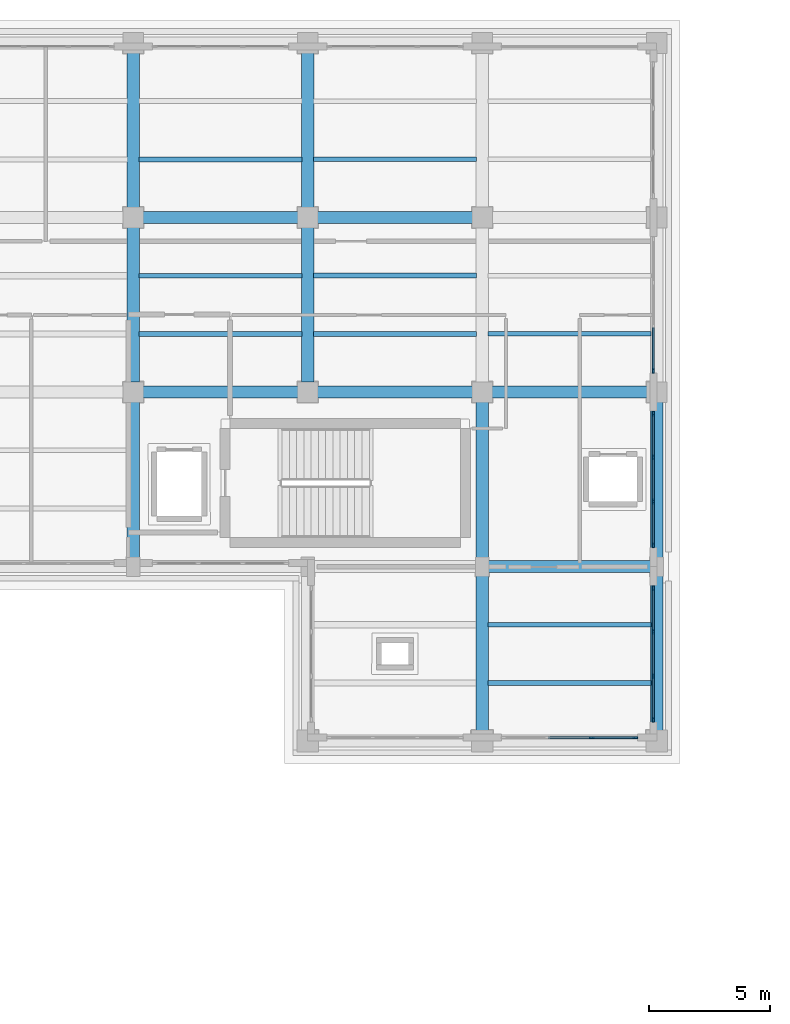
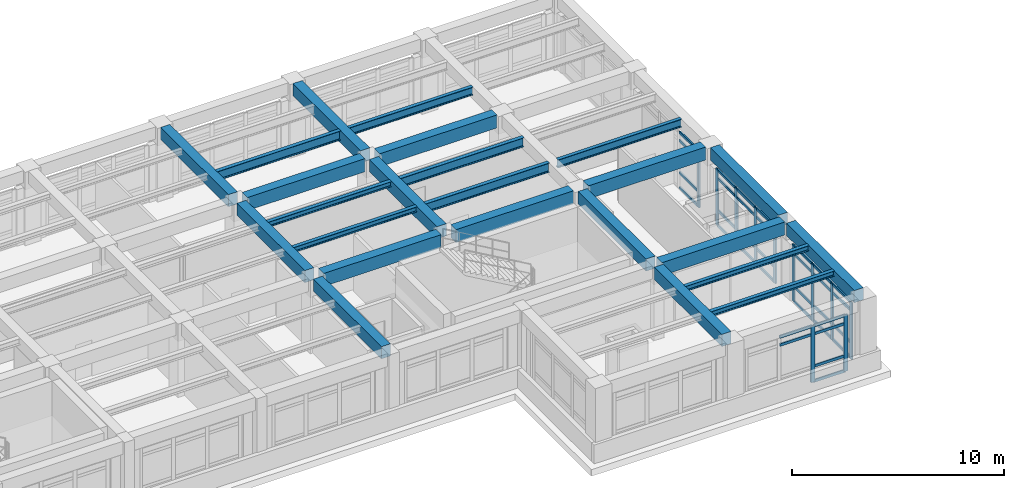
# One storey, part 32 of 69: 45 members, 24 beams, 4 elements without a shape of their own.
"""IFC4 building model written with IfcOpenShell, lengths in metres."""

import ifcopenshell
import ifcopenshell.guid

model = None  # the IFC model being written
_history = None  # IfcOwnerHistory: only IFC2X3 demands one
_inside = {}  # id of a spatial element -> (the spatial element, [elements in it])
_under = {}  # id of a project, library or spatial element -> (it, [spatial elements below it])
_declared = {}  # id of a project -> (the project, [libraries it declares])
_typed = {}  # id of a type object -> (the type object, [elements of that type])
_made_of = {}  # id of a material, layer set ... -> (it, [elements and type objects made of it])


def new_model(schema):
    """Start an empty IFC model of exactly this schema.

    Asked for "IFC4X3", IfcOpenShell would pick the latest addendum, in which some entities
    have other attributes; the version numbers below select the first issue.
    IFC2X3 requires an IfcOwnerHistory on every rooted entity: one is made here for all.
    """
    global model, _history
    if schema == "IFC4X3":
        model = ifcopenshell.file(schema_version=(4, 3, 0, 0))
    else:
        model = ifcopenshell.file(schema=schema)
    _inside.clear()
    _under.clear()
    _declared.clear()
    _typed.clear()
    _made_of.clear()
    _history = None
    if model.schema == "IFC2X3":
        org = make("IfcOrganization", Name="unknown")
        user = make(
            "IfcPersonAndOrganization",
            ThePerson=make("IfcPerson", FamilyName="unknown"),
            TheOrganization=org,
        )
        app = make(
            "IfcApplication",
            ApplicationDeveloper=org,
            Version="unknown",
            ApplicationFullName="unknown",
            ApplicationIdentifier="unknown",
        )
        _history = make(
            "IfcOwnerHistory",
            OwningUser=user,
            OwningApplication=app,
            ChangeAction="ADDED",
            CreationDate=0,
        )
    return model


def make(cls, **values):
    """One entity of the class cls with the attributes given. An attribute that is None is left unset."""
    return model.create_entity(
        cls, **{name: value for name, value in values.items() if value is not None}
    )


def rooted(cls, **values):
    """An entity with a GlobalId (a new one), such as an element, a storey or a relation."""
    return make(cls, GlobalId=ifcopenshell.guid.new(), OwnerHistory=_history, **values)


def si_unit(unit_type, name, prefix=None):
    """IfcSIUnit, for example si_unit("LENGTHUNIT", "METRE", prefix="MILLI")."""
    return make("IfcSIUnit", UnitType=unit_type, Prefix=prefix, Name=name)


def assignment(units):
    """IfcUnitAssignment: the units of a project."""
    return None if units is None else make("IfcUnitAssignment", Units=units)


def point(xyz):
    """IfcCartesianPoint."""
    return None if xyz is None else make("IfcCartesianPoint", Coordinates=xyz)


def direction(xyz):
    """IfcDirection."""
    return None if xyz is None else make("IfcDirection", DirectionRatios=xyz)


def frame(location, z_axis=None, x_axis=None):
    """IfcAxis2Placement3D, a coordinate frame: its origin and axes. An axis left out is left unset."""
    return make(
        "IfcAxis2Placement3D",
        Location=point(location),
        Axis=direction(z_axis),
        RefDirection=direction(x_axis),
    )


def frame_2d(location, x_axis=None):
    """IfcAxis2Placement2D, a coordinate frame in the plane: its origin and x axis."""
    return make(
        "IfcAxis2Placement2D", Location=point(location), RefDirection=direction(x_axis)
    )


def origin():
    """The frame at (0, 0, 0) with its axes left unset."""
    return frame((0.0, 0.0, 0.0))


def origin_2d():
    """The frame at (0, 0) in the plane with its x axis left unset."""
    return frame_2d((0.0, 0.0))


def place(relative_to, where):
    """IfcLocalPlacement: puts the frame where relative to a parent placement (None: the world)."""
    return make(
        "IfcLocalPlacement", PlacementRelTo=relative_to, RelativePlacement=where
    )


def context(
    kind, dimensions, precision=None, world=None, true_north=None, identifier=None
):
    """IfcGeometricRepresentationContext, for example the 3D "Model" context."""
    return make(
        "IfcGeometricRepresentationContext",
        ContextIdentifier=identifier,
        ContextType=kind,
        CoordinateSpaceDimension=dimensions,
        Precision=precision,
        WorldCoordinateSystem=world,
        TrueNorth=true_north,
    )


def subcontext(parent, identifier, kind, view, scale=None):
    """IfcGeometricRepresentationSubContext, for example "Body" below "Model"."""
    return make(
        "IfcGeometricRepresentationSubContext",
        ContextIdentifier=identifier,
        ContextType=kind,
        ParentContext=parent,
        TargetScale=scale,
        TargetView=view,
    )


def project(units=None, contexts=None):
    """IfcProject with its units and contexts."""
    return rooted(
        "IfcProject",
        Name="project",
        RepresentationContexts=contexts,
        UnitsInContext=assignment(units),
    )


def spatial(cls, under=None, at=None, **own):
    """A site, building, storey or space (cls), placed at a placement, below another one or the project."""
    s = rooted(cls, ObjectPlacement=at, **own)
    if under is not None:
        _under.setdefault(under.id(), (under, []))[1].append(s)
    return s


def profile(cls, at=None, kind="AREA", **sizes):
    """A parametric profile (cls). Its sizes go by their IFC names, for example OverallWidth=200.0."""
    return make(cls, ProfileType=kind, Position=at, **sizes)


def rectangle(**sizes):
    """IfcRectangleProfileDef."""
    return profile("IfcRectangleProfileDef", **sizes)


def i_section(**sizes):
    """IfcIShapeProfileDef."""
    return profile("IfcIShapeProfileDef", **sizes)


def extrude(swept, where, along, depth):
    """IfcExtrudedAreaSolid: the profile swept, set in the frame where, extruded along a direction by depth."""
    return make(
        "IfcExtrudedAreaSolid",
        SweptArea=swept,
        Position=where,
        ExtrudedDirection=direction(along),
        Depth=depth,
    )


def shape(context_of_items, identifier, shape_type, items):
    """IfcShapeRepresentation: the items that make up one representation, for example the "Body"."""
    return make(
        "IfcShapeRepresentation",
        ContextOfItems=context_of_items,
        RepresentationIdentifier=identifier,
        RepresentationType=shape_type,
        Items=items,
    )


def material(Name=None, Category=None):
    """IfcMaterial."""
    return make("IfcMaterial", Name=Name, Category=Category)


def layer(
    of_material, thickness, ventilated=None, Name=None, Category=None, Priority=None
):
    """IfcMaterialLayer: one layer of a wall or slab, of a material (None: an air gap)."""
    return make(
        "IfcMaterialLayer",
        Material=of_material,
        LayerThickness=thickness,
        IsVentilated=ventilated,
        Name=Name,
        Category=Category,
        Priority=Priority,
    )


def layer_set(layers, Name=None):
    """IfcMaterialLayerSet."""
    return make("IfcMaterialLayerSet", MaterialLayers=layers, LayerSetName=Name)


def material_profile(
    of_material, cross_section, Name=None, Category=None, Priority=None
):
    """IfcMaterialProfile: a cross section and its material."""
    return make(
        "IfcMaterialProfile",
        Name=Name,
        Material=of_material,
        Profile=cross_section,
        Priority=Priority,
        Category=Category,
    )


def profile_set(profiles, Name=None, composite=None):
    """IfcMaterialProfileSet."""
    return make(
        "IfcMaterialProfileSet",
        Name=Name,
        MaterialProfiles=profiles,
        CompositeProfile=composite,
    )


def made_of(thing, what):
    """Note that an element or type object is made of a material, layer set ...; save() writes the relation."""
    if what is not None:
        _made_of.setdefault(what.id(), (what, []))[1].append(thing)
    return thing


def type_object(cls, material=None, **own):
    """A type object (cls), such as IfcWallType, which elements share."""
    return made_of(rooted(cls, **own), material)


def element(
    cls,
    number,
    at=None,
    inside=None,
    cuts=None,
    type_object=None,
    material=None,
    context=None,
    identifier="Body",
    shape_type=None,
    held_by="IfcProductDefinitionShape",
    body=None,
    shapes=None,
    **own,
):
    """One element of the class cls, such as IfcWall. Its Tag is "e" and its number.

    at: its placement. inside: the storey or other place that contains it. cuts: it is an
    opening in that element (IfcRelVoidsElement). A single representation is given by context,
    identifier, shape_type and body (its items); several are given by shapes. held_by: the class
    of the entity that holds the representations. save() writes the other relations.
    """
    e = rooted(cls, Tag="e%d" % number, ObjectPlacement=at, **own)
    if body is not None:
        shapes = [shape(context, identifier, shape_type, body)]
    if shapes is not None:
        e.Representation = make(held_by, Representations=shapes)
    if inside is not None:
        _inside.setdefault(inside.id(), (inside, []))[1].append(e)
    if cuts is not None:
        rooted(
            "IfcRelVoidsElement", RelatingBuildingElement=cuts, RelatedOpeningElement=e
        )
    if type_object is not None:
        _typed.setdefault(type_object.id(), (type_object, []))[1].append(e)
    return made_of(e, material)


def aggregate(whole, parts):
    """IfcRelAggregates: a whole, such as a stair, and the parts it consists of."""
    return rooted("IfcRelAggregates", RelatingObject=whole, RelatedObjects=parts)


def save(model, path):
    """Write the relations noted so far, then the file.

    IfcRelAggregates (storeys below a building ...), IfcRelContainedInSpatialStructure (elements
    in a storey), IfcRelDefinesByType, IfcRelAssociatesMaterial and IfcRelDeclares: one each for
    every whole, place, type object, material and project.
    """
    for whole, parts in _under.values():
        aggregate(whole, parts)
    for where, things in _inside.values():
        rooted(
            "IfcRelContainedInSpatialStructure",
            RelatedElements=things,
            RelatingStructure=where,
        )
    for kind, things in _typed.values():
        rooted("IfcRelDefinesByType", RelatedObjects=things, RelatingType=kind)
    for what, things in _made_of.values():
        rooted("IfcRelAssociatesMaterial", RelatedObjects=things, RelatingMaterial=what)
    for by, libraries in _declared.values():
        rooted("IfcRelDeclares", RelatingContext=by, RelatedDefinitions=libraries)
    model.write(path)


model = new_model("IFC4")

# Units and contexts
model_context = context("Model", 3, precision=1e-05, world=origin(), true_north=direction((0.0, 1.0)))
body_context = subcontext(model_context, "Body", "Model", "MODEL_VIEW")
ifc_project = project(units=[si_unit("LENGTHUNIT", "METRE"), si_unit("AREAUNIT", "SQUARE_METRE"), si_unit("VOLUMEUNIT", "CUBIC_METRE"), si_unit("PLANEANGLEUNIT", "RADIAN"), si_unit("MASSUNIT", "GRAM", prefix="KILO")], contexts=[model_context])

# Site, building, storey
site_placement = place(None, origin())
site = spatial("IfcSite", under=ifc_project, at=site_placement, CompositionType="ELEMENT")
building_placement = place(site_placement, origin())
building = spatial("IfcBuilding", under=site, at=building_placement, Name="Solenvale Faculty of Natural Sciences", CompositionType="ELEMENT")
storey_placement = place(building_placement, frame((0.0, 0.0, 4.5)))
storey = spatial("IfcBuildingStorey", under=building, at=storey_placement, Name="L01", CompositionType="ELEMENT", Elevation=4.5)

# Beams
ifc_material_1 = material(Name="Concrete 40 MPa", Category="concrete")
ifc_material_profile_1 = material_profile(ifc_material_1, rectangle(XDim=0.5, YDim=0.699951171875, at=origin_2d()), Name="RC-BM-500x700")
ifc_profile_set_1 = profile_set([ifc_material_profile_1], Name="Concrete 40 MPa")
beam_type_1 = type_object("IfcBeamType", Name="BM-RC-500x700", PredefinedType="BEAM", material=ifc_profile_set_1)
beam_1_placement = place(storey_placement, frame((129.60009765625, 93.97998046875, 3.8701171875), z_axis=(0.0, 1.0, 0.0), x_axis=(-1.0, 0.0, 0.0)))
element("IfcBeam", 1, at=beam_1_placement, inside=storey, type_object=beam_type_1, Name="L01 Y-Girder X129.6 (93.6..100.8)", PredefinedType="BEAM", context=body_context, shape_type="SweptSolid", body=[
    extrude(rectangle(XDim=0.5, YDim=0.699951171875, at=origin_2d()), origin(), (0.0, 0.0, 1.0), 6.4150390625),
])
for number, where, z_axis, x_axis, name in (
    (2, (129.60009765625, 101.205078125, 3.8701171875), (0.0, 1.0, 0.0), (-1.0, 0.0, 0.0), "L01 Y-Girder X129.6 (100.8..108.0)"),
    (3, (129.60009765625, 108.405029296875, 3.8701171875), (0.0, 1.0, 0.0), (-1.0, 0.0, 0.0), "L01 Y-Girder X129.6 (108.0..115.2)"),
    (4, (136.800048828125, 101.205078125, 3.8701171875), (0.0, 1.0, 0.0), (-1.0, 0.0, 0.0), "L01 Y-Girder X136.8 (100.8..108.0)"),
    (5, (136.800048828125, 108.405029296875, 3.8701171875), (0.0, 1.0, 0.0), (-1.0, 0.0, 0.0), "L01 Y-Girder X136.8 (108.0..115.2)"),
    (6, (144.0, 86.830078125, 3.8701171875), (0.0, 1.0, 0.0), (-1.0, 0.0, 0.0), "L01 Y-Girder X144.0 (86.4..93.6)"),
):
    element("IfcBeam", number, at=place(storey_placement, frame(where, z_axis=z_axis, x_axis=x_axis)), inside=storey, type_object=beam_type_1, Name=name, PredefinedType="BEAM", context=body_context, shape_type="SweptSolid", body=[
        extrude(rectangle(XDim=0.5, YDim=0.699951171875, at=origin_2d()), origin(), (0.0, 0.0, 1.0), 6.389892578125),
    ])
beam_2_placement = place(storey_placement, frame((144.0, 93.97998046875, 3.8701171875), z_axis=(0.0, 1.0, 0.0), x_axis=(-1.0, 0.0, 0.0)))
element("IfcBeam", 7, at=beam_2_placement, inside=storey, type_object=beam_type_1, Name="L01 Y-Girder X144.0 (93.6..100.8)", PredefinedType="BEAM", context=body_context, shape_type="SweptSolid", body=[
    extrude(rectangle(XDim=0.5, YDim=0.699951171875, at=origin_2d()), origin(), (0.0, 0.0, 1.0), 6.4150390625),
])
beam_3_placement = place(storey_placement, frame((151.199951171875, 86.830078125, 3.8701171875), z_axis=(0.0, 1.0, 0.0), x_axis=(-1.0, 0.0, 0.0)))
element("IfcBeam", 8, at=beam_3_placement, inside=storey, type_object=beam_type_1, Name="L01 Y-Girder X151.2 (86.4..93.6)", PredefinedType="BEAM", context=body_context, shape_type="SweptSolid", body=[
    extrude(rectangle(XDim=0.5, YDim=0.699951171875, at=origin_2d()), origin(), (0.0, 0.0, 1.0), 6.389892578125),
])
beam_4_placement = place(storey_placement, frame((151.199951171875, 93.97998046875, 3.8701171875), z_axis=(0.0, 1.0, 0.0), x_axis=(-1.0, 0.0, 0.0)))
element("IfcBeam", 9, at=beam_4_placement, inside=storey, type_object=beam_type_1, Name="L01 Y-Girder X151.2 (93.6..100.8)", PredefinedType="BEAM", context=body_context, shape_type="SweptSolid", body=[
    extrude(rectangle(XDim=0.5, YDim=0.699951171875, at=origin_2d()), origin(), (0.0, 0.0, 1.0), 6.4150390625),
])
ifc_material_profile_2 = material_profile(ifc_material_1, rectangle(XDim=0.5, YDim=0.75, at=origin_2d()), Name="RC-BM-500x750")
ifc_profile_set_2 = profile_set([ifc_material_profile_2], Name="Concrete 40 MPa")
beam_type_2 = type_object("IfcBeamType", Name="BM-RC-500x750", PredefinedType="BEAM", material=ifc_profile_set_2)
beam_5_placement = place(storey_placement, frame((144.2548828125, 93.60009765625, 3.844970703125), z_axis=(1.0, 0.0, 0.0), x_axis=(0.0, 1.0, 0.0)))
element("IfcBeam", 10, at=beam_5_placement, inside=storey, type_object=beam_type_2, Name="L01 X-Girder Y93.6 (144.0..151.2)", PredefinedType="BEAM", context=body_context, shape_type="SweptSolid", body=[
    extrude(rectangle(XDim=0.5, YDim=0.75, at=origin_2d()), origin(), (0.0, 0.0, 1.0), 6.690185546875),
])
beam_6_placement = place(storey_placement, frame((130.0048828125, 100.800048828125, 3.844970703125), z_axis=(1.0, 0.0, 0.0), x_axis=(0.0, 1.0, 0.0)))
element("IfcBeam", 11, at=beam_6_placement, inside=storey, type_object=beam_type_2, Name="L01 X-Girder Y100.8 (129.6..136.8)", PredefinedType="BEAM", context=body_context, shape_type="SweptSolid", body=[
    extrude(rectangle(XDim=0.5, YDim=0.75, at=origin_2d()), origin(), (0.0, 0.0, 1.0), 6.39013671875),
])
for number, where, z_axis, x_axis, name in (
    (12, (137.205078125, 100.800048828125, 3.844970703125), (1.0, 0.0, 0.0), (0.0, 1.0, 0.0), "L01 X-Girder Y100.8 (136.8..144.0)"),
    (13, (144.405029296875, 100.800048828125, 3.844970703125), (1.0, 0.0, 0.0), (0.0, 1.0, 0.0), "L01 X-Girder Y100.8 (144.0..151.2)"),
):
    element("IfcBeam", number, at=place(storey_placement, frame(where, z_axis=z_axis, x_axis=x_axis)), inside=storey, type_object=beam_type_2, Name=name, PredefinedType="BEAM", context=body_context, shape_type="SweptSolid", body=[
        extrude(rectangle(XDim=0.5, YDim=0.75, at=origin_2d()), origin(), (0.0, 0.0, 1.0), 6.389892578125),
    ])
beam_7_placement = place(storey_placement, frame((130.0048828125, 108.0, 3.844970703125), z_axis=(1.0, 0.0, 0.0), x_axis=(0.0, 1.0, 0.0)))
element("IfcBeam", 14, at=beam_7_placement, inside=storey, type_object=beam_type_2, Name="L01 X-Girder Y108.0 (129.6..136.8)", PredefinedType="BEAM", context=body_context, shape_type="SweptSolid", body=[
    extrude(rectangle(XDim=0.5, YDim=0.75, at=origin_2d()), origin(), (0.0, 0.0, 1.0), 6.39013671875),
])
beam_8_placement = place(storey_placement, frame((137.205078125, 108.0, 3.844970703125), z_axis=(1.0, 0.0, 0.0), x_axis=(0.0, 1.0, 0.0)))
element("IfcBeam", 15, at=beam_8_placement, inside=storey, type_object=beam_type_2, Name="L01 X-Girder Y108.0 (136.8..144.0)", PredefinedType="BEAM", context=body_context, shape_type="SweptSolid", body=[
    extrude(rectangle(XDim=0.5, YDim=0.75, at=origin_2d()), origin(), (0.0, 0.0, 1.0), 6.389892578125),
])
ifc_material_2 = material(Name="Steel S355", Category="steel")
ifc_material_profile_3 = material_profile(ifc_material_2, i_section(OverallWidth=0.202880859375, OverallDepth=0.302978515625, WebThickness=0.007568359375, FlangeThickness=0.01318359375, FilletRadius=0.014892578125, at=origin_2d()), Name="W310x60")
ifc_profile_set_3 = profile_set([ifc_material_profile_3], Name="Steel S355")
beam_type_3 = type_object("IfcBeamType", Name="BM-STL-W310x60", PredefinedType="JOIST", material=ifc_profile_set_3)
for number, where, z_axis, x_axis, name in (
    (16, (129.830078125, 103.199951171875, 4.068603515625), (1.0, 0.0, 0.0), (0.0, 1.0, 0.0), "L01 Composite Floor Joist (19,15).1"),
    (17, (129.830078125, 105.60009765625, 4.068603515625), (1.0, 0.0, 0.0), (0.0, 1.0, 0.0), "L01 Composite Floor Joist (19,15).2"),
    (18, (144.22998046875, 88.800048828125, 4.068603515625), (1.0, 0.0, 0.0), (0.0, 1.0, 0.0), "L01 Composite Floor Joist (21,13).1"),
    (19, (144.22998046875, 91.199951171875, 4.068603515625), (1.0, 0.0, 0.0), (0.0, 1.0, 0.0), "L01 Composite Floor Joist (21,13).2"),
):
    element("IfcBeam", number, at=place(storey_placement, frame(where, z_axis=z_axis, x_axis=x_axis)), inside=storey, type_object=beam_type_3, Name=name, PredefinedType="JOIST", context=body_context, shape_type="SweptSolid", body=[
        extrude(i_section(OverallWidth=0.202880859375, OverallDepth=0.302978515625, WebThickness=0.007568359375, FlangeThickness=0.01318359375, FilletRadius=0.014892578125, at=origin_2d()), origin(), (0.0, 0.0, 1.0), 6.739990234375),
    ])
ifc_material_profile_4 = material_profile(ifc_material_2, i_section(OverallWidth=0.194091796875, OverallDepth=0.468994140625, WebThickness=0.0126953125, FlangeThickness=0.0205078125, FilletRadius=0.01806640625, at=origin_2d()), Name="W460x106")
ifc_profile_set_4 = profile_set([ifc_material_profile_4], Name="Steel S355")
beam_type_4 = type_object("IfcBeamType", Name="BM-STL-W460x106", PredefinedType="JOIST", material=ifc_profile_set_4)
for number, where, z_axis, x_axis, name in (
    (20, (137.030029296875, 110.39990234375, 3.985595703125), (1.0, 0.0, 0.0), (0.0, 1.0, 0.0), "L01 Composite Floor Joist (20,16).1"),
    (21, (144.22998046875, 103.199951171875, 3.985595703125), (1.0, 0.0, 0.0), (0.0, 1.0, 0.0), "L01 Composite Floor Joist (21,15).1"),
):
    element("IfcBeam", number, at=place(storey_placement, frame(where, z_axis=z_axis, x_axis=x_axis)), inside=storey, type_object=beam_type_4, Name=name, PredefinedType="JOIST", context=body_context, shape_type="SweptSolid", body=[
        extrude(i_section(OverallWidth=0.194091796875, OverallDepth=0.468994140625, WebThickness=0.0126953125, FlangeThickness=0.0205078125, FilletRadius=0.01806640625, at=origin_2d()), origin(), (0.0, 0.0, 1.0), 6.739990234375),
    ])
ifc_material_profile_5 = material_profile(ifc_material_2, i_section(OverallWidth=0.208984375, OverallDepth=0.532958984375, WebThickness=0.01025390625, FlangeThickness=0.015625, FilletRadius=0.01904296875, at=origin_2d()), Name="W530x92")
ifc_profile_set_5 = profile_set([ifc_material_profile_5], Name="Steel S355")
beam_type_5 = type_object("IfcBeamType", Name="BM-STL-W530x92", PredefinedType="JOIST", material=ifc_profile_set_5)
for number, where, z_axis, x_axis, name in (
    (22, (129.830078125, 110.39990234375, 3.95361328125), (1.0, 0.0, 0.0), (0.0, 1.0, 0.0), "L01 Composite Floor Joist (19,16).1"),
    (23, (137.030029296875, 103.199951171875, 3.95361328125), (1.0, 0.0, 0.0), (0.0, 1.0, 0.0), "L01 Composite Floor Joist (20,15).1"),
    (24, (137.030029296875, 105.60009765625, 3.95361328125), (1.0, 0.0, 0.0), (0.0, 1.0, 0.0), "L01 Composite Floor Joist (20,15).2"),
):
    element("IfcBeam", number, at=place(storey_placement, frame(where, z_axis=z_axis, x_axis=x_axis)), inside=storey, type_object=beam_type_5, Name=name, PredefinedType="JOIST", context=body_context, shape_type="SweptSolid", body=[
        extrude(i_section(OverallWidth=0.208984375, OverallDepth=0.532958984375, WebThickness=0.01025390625, FlangeThickness=0.015625, FilletRadius=0.01904296875, at=origin_2d()), origin(), (0.0, 0.0, 1.0), 6.739990234375),
    ])

# Curtain wall, members
ifc_material_3 = material(Name="Anodised bronze aluminium", Category="aluminium")
ifc_layer = layer(ifc_material_3, 0.179931640625)
ifc_layer_set = layer_set([ifc_layer], Name="Anodised bronze aluminium")
curtain_wall_type = type_object("IfcCurtainWallType", Name="CW-TWR-MOD", PredefinedType="USERDEFINED", material=ifc_layer_set)
curtain_wall_1_placement = place(storey_placement, origin())
curtain_wall_1 = element("IfcCurtainWall", 25, at=curtain_wall_1_placement, inside=storey, type_object=curtain_wall_type, Name="L01 Curtain Wall CW-L01-P2-E1-B2", ObjectType="UNITISED CURTAIN WALL", PredefinedType="USERDEFINED")
ifc_material_profile_6 = material_profile(ifc_material_3, rectangle(XDim=0.074951171875, YDim=0.2099609375, at=origin_2d()), Name="ALU-MUL-75x210")
ifc_profile_set_6 = profile_set([ifc_material_profile_6], Name="Anodised bronze aluminium")
member_type_1 = type_object("IfcMemberType", Name="CWM-ALU-75x210", PredefinedType="MULLION", material=ifc_profile_set_6)
member_1_placement = place(storey_placement, frame((148.5166015625, 86.54248046875, 0.0), z_axis=(0.0, 0.0, 1.0), x_axis=(0.0, 1.0, 0.0)))
member_1 = element("IfcMember", 26, at=member_1_placement, type_object=member_type_1, Name="CW-04 mullion 3", PredefinedType="MULLION", context=body_context, shape_type="SweptSolid", body=[
    extrude(rectangle(XDim=0.074951171875, YDim=0.2099609375, at=origin_2d()), origin(), (0.0, 0.0, 1.0), 3.260009765625),
])
member_2_placement = place(storey_placement, frame((150.3125, 86.54248046875, 0.0), z_axis=(0.0, 0.0, 1.0), x_axis=(0.0, 1.0, 0.0)))
member_2 = element("IfcMember", 27, at=member_2_placement, type_object=member_type_1, Name="CW-04 mullion 4", PredefinedType="MULLION", context=body_context, shape_type="SweptSolid", body=[
    extrude(rectangle(XDim=0.074951171875, YDim=0.2099609375, at=origin_2d()), origin(), (0.0, 0.0, 1.0), 3.260009765625),
])

curtain_wall_2_placement = place(storey_placement, origin())
curtain_wall_2 = element("IfcCurtainWall", 28, at=curtain_wall_2_placement, inside=storey, type_object=curtain_wall_type, Name="L01 Curtain Wall CW-L01-P2-E2-B1", ObjectType="UNITISED CURTAIN WALL", PredefinedType="USERDEFINED")
member_3_placement = place(storey_placement, frame((151.0576171875, 87.28759765625, 0.0), z_axis=(0.0, 0.0, 1.0), x_axis=(-1.0, 0.0, 0.0)))
member_3 = element("IfcMember", 29, at=member_3_placement, type_object=member_type_1, Name="CW-04 mullion 1", PredefinedType="MULLION", context=body_context, shape_type="SweptSolid", body=[
    extrude(rectangle(XDim=0.074951171875, YDim=0.2099609375, at=origin_2d()), origin(), (0.0, 0.0, 1.0), 3.260009765625),
])
member_4_placement = place(storey_placement, frame((151.0576171875, 89.083251953125, 0.0), z_axis=(0.0, 0.0, 1.0), x_axis=(-1.0, 0.0, 0.0)))
member_4 = element("IfcMember", 30, at=member_4_placement, type_object=member_type_1, Name="CW-04 mullion 2", PredefinedType="MULLION", context=body_context, shape_type="SweptSolid", body=[
    extrude(rectangle(XDim=0.074951171875, YDim=0.2099609375, at=origin_2d()), origin(), (0.0, 0.0, 1.0), 3.260009765625),
])
member_5_placement = place(storey_placement, frame((151.0576171875, 90.916748046875, 0.0), z_axis=(0.0, 0.0, 1.0), x_axis=(-1.0, 0.0, 0.0)))
member_5 = element("IfcMember", 31, at=member_5_placement, type_object=member_type_1, Name="CW-04 mullion 3", PredefinedType="MULLION", context=body_context, shape_type="SweptSolid", body=[
    extrude(rectangle(XDim=0.074951171875, YDim=0.2099609375, at=origin_2d()), origin(), (0.0, 0.0, 1.0), 3.260009765625),
])
member_6_placement = place(storey_placement, frame((151.0576171875, 92.71240234375, 0.0), z_axis=(0.0, 0.0, 1.0), x_axis=(-1.0, 0.0, 0.0)))
member_6 = element("IfcMember", 32, at=member_6_placement, type_object=member_type_1, Name="CW-04 mullion 4", PredefinedType="MULLION", context=body_context, shape_type="SweptSolid", body=[
    extrude(rectangle(XDim=0.074951171875, YDim=0.2099609375, at=origin_2d()), origin(), (0.0, 0.0, 1.0), 3.260009765625),
])

curtain_wall_3_placement = place(storey_placement, origin())
curtain_wall_3 = element("IfcCurtainWall", 33, at=curtain_wall_3_placement, inside=storey, type_object=curtain_wall_type, Name="L01 Curtain Wall CW-L01-P2-E3-B1", ObjectType="UNITISED CURTAIN WALL", PredefinedType="USERDEFINED")
member_7_placement = place(storey_placement, frame((151.0576171875, 94.487548828125, 0.0), z_axis=(0.0, 0.0, 1.0), x_axis=(-1.0, 0.0, 0.0)))
member_7 = element("IfcMember", 34, at=member_7_placement, type_object=member_type_1, Name="CW-04 mullion 1", PredefinedType="MULLION", context=body_context, shape_type="SweptSolid", body=[
    extrude(rectangle(XDim=0.074951171875, YDim=0.2099609375, at=origin_2d()), origin(), (0.0, 0.0, 1.0), 3.260009765625),
])
member_8_placement = place(storey_placement, frame((151.0576171875, 96.283447265625, 0.0), z_axis=(0.0, 0.0, 1.0), x_axis=(-1.0, 0.0, 0.0)))
member_8 = element("IfcMember", 35, at=member_8_placement, type_object=member_type_1, Name="CW-04 mullion 2", PredefinedType="MULLION", context=body_context, shape_type="SweptSolid", body=[
    extrude(rectangle(XDim=0.074951171875, YDim=0.2099609375, at=origin_2d()), origin(), (0.0, 0.0, 1.0), 3.260009765625),
])
member_9_placement = place(storey_placement, frame((151.0576171875, 98.11669921875, 0.0), z_axis=(0.0, 0.0, 1.0), x_axis=(-1.0, 0.0, 0.0)))
member_9 = element("IfcMember", 36, at=member_9_placement, type_object=member_type_1, Name="CW-04 mullion 3", PredefinedType="MULLION", context=body_context, shape_type="SweptSolid", body=[
    extrude(rectangle(XDim=0.074951171875, YDim=0.2099609375, at=origin_2d()), origin(), (0.0, 0.0, 1.0), 3.260009765625),
])
member_10_placement = place(storey_placement, frame((151.0576171875, 99.91259765625, 0.0), z_axis=(0.0, 0.0, 1.0), x_axis=(-1.0, 0.0, 0.0)))
member_10 = element("IfcMember", 37, at=member_10_placement, type_object=member_type_1, Name="CW-04 mullion 4", PredefinedType="MULLION", context=body_context, shape_type="SweptSolid", body=[
    extrude(rectangle(XDim=0.074951171875, YDim=0.2099609375, at=origin_2d()), origin(), (0.0, 0.0, 1.0), 3.260009765625),
])

# Curtain wall, member
curtain_wall_4_placement = place(storey_placement, origin())
curtain_wall_4 = element("IfcCurtainWall", 38, at=curtain_wall_4_placement, inside=storey, type_object=curtain_wall_type, Name="L01 Curtain Wall CW-L01-P2-E3-B2", ObjectType="UNITISED CURTAIN WALL", PredefinedType="USERDEFINED")
member_11_placement = place(storey_placement, frame((151.0576171875, 101.6875, 0.0), z_axis=(0.0, 0.0, 1.0), x_axis=(-1.0, 0.0, 0.0)))
member_11 = element("IfcMember", 39, at=member_11_placement, type_object=member_type_1, Name="CW-04 mullion 1", PredefinedType="MULLION", context=body_context, shape_type="SweptSolid", body=[
    extrude(rectangle(XDim=0.074951171875, YDim=0.2099609375, at=origin_2d()), origin(), (0.0, 0.0, 1.0), 3.260009765625),
])

# Member
ifc_material_profile_7 = material_profile(ifc_material_3, rectangle(XDim=0.074951171875, YDim=0.155029296875, at=origin_2d()), Name="ALU-TRN-75x155")
ifc_profile_set_7 = profile_set([ifc_material_profile_7], Name="Anodised bronze aluminium")
member_type_2 = type_object("IfcMemberType", Name="CWT-ALU-75x155", PredefinedType="USERDEFINED", material=ifc_profile_set_7)
member_12_placement = place(storey_placement, frame((146.720947265625, 86.54248046875, 2.760009765625), z_axis=(1.0, 0.0, 0.0), x_axis=(0.0, 1.0, 0.0)))
member_12 = element("IfcMember", 40, at=member_12_placement, type_object=member_type_2, Name="CW-04 transom 2.3", ObjectType="TRANSOM", PredefinedType="USERDEFINED", context=body_context, shape_type="SweptSolid", body=[
    extrude(rectangle(XDim=0.074951171875, YDim=0.155029296875, at=origin_2d()), origin(), (0.0, 0.0, 1.0), 1.75830078125),
])

member_13_placement = place(storey_placement, frame((146.720947265625, 86.54248046875, 3.222412109375), z_axis=(1.0, 0.0, 0.0), x_axis=(0.0, 1.0, 0.0)))
member_13 = element("IfcMember", 41, at=member_13_placement, type_object=member_type_2, Name="CW-04 transom 2.4", ObjectType="TRANSOM", PredefinedType="USERDEFINED", context=body_context, shape_type="SweptSolid", body=[
    extrude(rectangle(XDim=0.074951171875, YDim=0.155029296875, at=origin_2d()), origin(), (0.0, 0.0, 1.0), 1.75830078125),
])

member_14_placement = place(storey_placement, frame((148.55419921875, 86.54248046875, 0.03759765625), z_axis=(1.0, 0.0, 0.0), x_axis=(0.0, 1.0, 0.0)))
member_14 = element("IfcMember", 42, at=member_14_placement, type_object=member_type_2, Name="CW-04 transom 3.1", ObjectType="TRANSOM", PredefinedType="USERDEFINED", context=body_context, shape_type="SweptSolid", body=[
    extrude(rectangle(XDim=0.074951171875, YDim=0.155029296875, at=origin_2d()), origin(), (0.0, 0.0, 1.0), 1.720703125),
])

member_15_placement = place(storey_placement, frame((148.55419921875, 86.54248046875, 0.89990234375), z_axis=(1.0, 0.0, 0.0), x_axis=(0.0, 1.0, 0.0)))
member_15 = element("IfcMember", 43, at=member_15_placement, type_object=member_type_2, Name="CW-04 transom 3.2", ObjectType="TRANSOM", PredefinedType="USERDEFINED", context=body_context, shape_type="SweptSolid", body=[
    extrude(rectangle(XDim=0.074951171875, YDim=0.155029296875, at=origin_2d()), origin(), (0.0, 0.0, 1.0), 1.720703125),
])

member_16_placement = place(storey_placement, frame((148.55419921875, 86.54248046875, 2.760009765625), z_axis=(1.0, 0.0, 0.0), x_axis=(0.0, 1.0, 0.0)))
member_16 = element("IfcMember", 44, at=member_16_placement, type_object=member_type_2, Name="CW-04 transom 3.3", ObjectType="TRANSOM", PredefinedType="USERDEFINED", context=body_context, shape_type="SweptSolid", body=[
    extrude(rectangle(XDim=0.074951171875, YDim=0.155029296875, at=origin_2d()), origin(), (0.0, 0.0, 1.0), 1.720703125),
])

member_17_placement = place(storey_placement, frame((148.55419921875, 86.54248046875, 3.222412109375), z_axis=(1.0, 0.0, 0.0), x_axis=(0.0, 1.0, 0.0)))
member_17 = element("IfcMember", 45, at=member_17_placement, type_object=member_type_2, Name="CW-04 transom 3.4", ObjectType="TRANSOM", PredefinedType="USERDEFINED", context=body_context, shape_type="SweptSolid", body=[
    extrude(rectangle(XDim=0.074951171875, YDim=0.155029296875, at=origin_2d()), origin(), (0.0, 0.0, 1.0), 1.720703125),
])

aggregate(curtain_wall_1, [member_1, member_2, member_12, member_13, member_14, member_15, member_16, member_17])

member_18_placement = place(storey_placement, frame((151.0576171875, 87.324951171875, 0.03759765625), z_axis=(0.0, 1.0, 0.0), x_axis=(-1.0, 0.0, 0.0)))
member_18 = element("IfcMember", 46, at=member_18_placement, type_object=member_type_2, Name="CW-04 transom 1.1", ObjectType="TRANSOM", PredefinedType="USERDEFINED", context=body_context, shape_type="SweptSolid", body=[
    extrude(rectangle(XDim=0.074951171875, YDim=0.155029296875, at=origin_2d()), origin(), (0.0, 0.0, 1.0), 1.720947265625),
])

member_19_placement = place(storey_placement, frame((151.0576171875, 87.324951171875, 0.89990234375), z_axis=(0.0, 1.0, 0.0), x_axis=(-1.0, 0.0, 0.0)))
member_19 = element("IfcMember", 47, at=member_19_placement, type_object=member_type_2, Name="CW-04 transom 1.2", ObjectType="TRANSOM", PredefinedType="USERDEFINED", context=body_context, shape_type="SweptSolid", body=[
    extrude(rectangle(XDim=0.074951171875, YDim=0.155029296875, at=origin_2d()), origin(), (0.0, 0.0, 1.0), 1.720947265625),
])

member_20_placement = place(storey_placement, frame((151.0576171875, 87.324951171875, 2.760009765625), z_axis=(0.0, 1.0, 0.0), x_axis=(-1.0, 0.0, 0.0)))
member_20 = element("IfcMember", 48, at=member_20_placement, type_object=member_type_2, Name="CW-04 transom 1.3", ObjectType="TRANSOM", PredefinedType="USERDEFINED", context=body_context, shape_type="SweptSolid", body=[
    extrude(rectangle(XDim=0.074951171875, YDim=0.155029296875, at=origin_2d()), origin(), (0.0, 0.0, 1.0), 1.720947265625),
])

member_21_placement = place(storey_placement, frame((151.0576171875, 87.324951171875, 3.222412109375), z_axis=(0.0, 1.0, 0.0), x_axis=(-1.0, 0.0, 0.0)))
member_21 = element("IfcMember", 49, at=member_21_placement, type_object=member_type_2, Name="CW-04 transom 1.4", ObjectType="TRANSOM", PredefinedType="USERDEFINED", context=body_context, shape_type="SweptSolid", body=[
    extrude(rectangle(XDim=0.074951171875, YDim=0.155029296875, at=origin_2d()), origin(), (0.0, 0.0, 1.0), 1.720947265625),
])

member_22_placement = place(storey_placement, frame((151.0576171875, 89.120849609375, 0.03759765625), z_axis=(0.0, 1.0, 0.0), x_axis=(-1.0, 0.0, 0.0)))
member_22 = element("IfcMember", 50, at=member_22_placement, type_object=member_type_2, Name="CW-04 transom 2.1", ObjectType="TRANSOM", PredefinedType="USERDEFINED", context=body_context, shape_type="SweptSolid", body=[
    extrude(rectangle(XDim=0.074951171875, YDim=0.155029296875, at=origin_2d()), origin(), (0.0, 0.0, 1.0), 1.75830078125),
])

member_23_placement = place(storey_placement, frame((151.0576171875, 89.120849609375, 0.89990234375), z_axis=(0.0, 1.0, 0.0), x_axis=(-1.0, 0.0, 0.0)))
member_23 = element("IfcMember", 51, at=member_23_placement, type_object=member_type_2, Name="CW-04 transom 2.2", ObjectType="TRANSOM", PredefinedType="USERDEFINED", context=body_context, shape_type="SweptSolid", body=[
    extrude(rectangle(XDim=0.074951171875, YDim=0.155029296875, at=origin_2d()), origin(), (0.0, 0.0, 1.0), 1.75830078125),
])

member_24_placement = place(storey_placement, frame((151.0576171875, 89.120849609375, 2.760009765625), z_axis=(0.0, 1.0, 0.0), x_axis=(-1.0, 0.0, 0.0)))
member_24 = element("IfcMember", 52, at=member_24_placement, type_object=member_type_2, Name="CW-04 transom 2.3", ObjectType="TRANSOM", PredefinedType="USERDEFINED", context=body_context, shape_type="SweptSolid", body=[
    extrude(rectangle(XDim=0.074951171875, YDim=0.155029296875, at=origin_2d()), origin(), (0.0, 0.0, 1.0), 1.75830078125),
])

member_25_placement = place(storey_placement, frame((151.0576171875, 89.120849609375, 3.222412109375), z_axis=(0.0, 1.0, 0.0), x_axis=(-1.0, 0.0, 0.0)))
member_25 = element("IfcMember", 53, at=member_25_placement, type_object=member_type_2, Name="CW-04 transom 2.4", ObjectType="TRANSOM", PredefinedType="USERDEFINED", context=body_context, shape_type="SweptSolid", body=[
    extrude(rectangle(XDim=0.074951171875, YDim=0.155029296875, at=origin_2d()), origin(), (0.0, 0.0, 1.0), 1.75830078125),
])

member_26_placement = place(storey_placement, frame((151.0576171875, 90.9541015625, 0.03759765625), z_axis=(0.0, 1.0, 0.0), x_axis=(-1.0, 0.0, 0.0)))
member_26 = element("IfcMember", 54, at=member_26_placement, type_object=member_type_2, Name="CW-04 transom 3.1", ObjectType="TRANSOM", PredefinedType="USERDEFINED", context=body_context, shape_type="SweptSolid", body=[
    extrude(rectangle(XDim=0.074951171875, YDim=0.155029296875, at=origin_2d()), origin(), (0.0, 0.0, 1.0), 1.720947265625),
])

member_27_placement = place(storey_placement, frame((151.0576171875, 90.9541015625, 0.89990234375), z_axis=(0.0, 1.0, 0.0), x_axis=(-1.0, 0.0, 0.0)))
member_27 = element("IfcMember", 55, at=member_27_placement, type_object=member_type_2, Name="CW-04 transom 3.2", ObjectType="TRANSOM", PredefinedType="USERDEFINED", context=body_context, shape_type="SweptSolid", body=[
    extrude(rectangle(XDim=0.074951171875, YDim=0.155029296875, at=origin_2d()), origin(), (0.0, 0.0, 1.0), 1.720947265625),
])

member_28_placement = place(storey_placement, frame((151.0576171875, 90.9541015625, 2.760009765625), z_axis=(0.0, 1.0, 0.0), x_axis=(-1.0, 0.0, 0.0)))
member_28 = element("IfcMember", 56, at=member_28_placement, type_object=member_type_2, Name="CW-04 transom 3.3", ObjectType="TRANSOM", PredefinedType="USERDEFINED", context=body_context, shape_type="SweptSolid", body=[
    extrude(rectangle(XDim=0.074951171875, YDim=0.155029296875, at=origin_2d()), origin(), (0.0, 0.0, 1.0), 1.720947265625),
])

member_29_placement = place(storey_placement, frame((151.0576171875, 90.9541015625, 3.222412109375), z_axis=(0.0, 1.0, 0.0), x_axis=(-1.0, 0.0, 0.0)))
member_29 = element("IfcMember", 57, at=member_29_placement, type_object=member_type_2, Name="CW-04 transom 3.4", ObjectType="TRANSOM", PredefinedType="USERDEFINED", context=body_context, shape_type="SweptSolid", body=[
    extrude(rectangle(XDim=0.074951171875, YDim=0.155029296875, at=origin_2d()), origin(), (0.0, 0.0, 1.0), 1.720947265625),
])

aggregate(curtain_wall_2, [member_3, member_4, member_5, member_6, member_18, member_19, member_20, member_21, member_22, member_23, member_24, member_25, member_26, member_27, member_28, member_29])

member_30_placement = place(storey_placement, frame((151.0576171875, 94.52490234375, 0.03759765625), z_axis=(0.0, 1.0, 0.0), x_axis=(-1.0, 0.0, 0.0)))
member_30 = element("IfcMember", 58, at=member_30_placement, type_object=member_type_2, Name="CW-04 transom 1.1", ObjectType="TRANSOM", PredefinedType="USERDEFINED", context=body_context, shape_type="SweptSolid", body=[
    extrude(rectangle(XDim=0.074951171875, YDim=0.155029296875, at=origin_2d()), origin(), (0.0, 0.0, 1.0), 1.720947265625),
])

member_31_placement = place(storey_placement, frame((151.0576171875, 94.52490234375, 0.89990234375), z_axis=(0.0, 1.0, 0.0), x_axis=(-1.0, 0.0, 0.0)))
member_31 = element("IfcMember", 59, at=member_31_placement, type_object=member_type_2, Name="CW-04 transom 1.2", ObjectType="TRANSOM", PredefinedType="USERDEFINED", context=body_context, shape_type="SweptSolid", body=[
    extrude(rectangle(XDim=0.074951171875, YDim=0.155029296875, at=origin_2d()), origin(), (0.0, 0.0, 1.0), 1.720947265625),
])

member_32_placement = place(storey_placement, frame((151.0576171875, 94.52490234375, 2.760009765625), z_axis=(0.0, 1.0, 0.0), x_axis=(-1.0, 0.0, 0.0)))
member_32 = element("IfcMember", 60, at=member_32_placement, type_object=member_type_2, Name="CW-04 transom 1.3", ObjectType="TRANSOM", PredefinedType="USERDEFINED", context=body_context, shape_type="SweptSolid", body=[
    extrude(rectangle(XDim=0.074951171875, YDim=0.155029296875, at=origin_2d()), origin(), (0.0, 0.0, 1.0), 1.720947265625),
])

member_33_placement = place(storey_placement, frame((151.0576171875, 94.52490234375, 3.222412109375), z_axis=(0.0, 1.0, 0.0), x_axis=(-1.0, 0.0, 0.0)))
member_33 = element("IfcMember", 61, at=member_33_placement, type_object=member_type_2, Name="CW-04 transom 1.4", ObjectType="TRANSOM", PredefinedType="USERDEFINED", context=body_context, shape_type="SweptSolid", body=[
    extrude(rectangle(XDim=0.074951171875, YDim=0.155029296875, at=origin_2d()), origin(), (0.0, 0.0, 1.0), 1.720947265625),
])

member_34_placement = place(storey_placement, frame((151.0576171875, 96.32080078125, 0.03759765625), z_axis=(0.0, 1.0, 0.0), x_axis=(-1.0, 0.0, 0.0)))
member_34 = element("IfcMember", 62, at=member_34_placement, type_object=member_type_2, Name="CW-04 transom 2.1", ObjectType="TRANSOM", PredefinedType="USERDEFINED", context=body_context, shape_type="SweptSolid", body=[
    extrude(rectangle(XDim=0.074951171875, YDim=0.155029296875, at=origin_2d()), origin(), (0.0, 0.0, 1.0), 1.75830078125),
])

member_35_placement = place(storey_placement, frame((151.0576171875, 96.32080078125, 0.89990234375), z_axis=(0.0, 1.0, 0.0), x_axis=(-1.0, 0.0, 0.0)))
member_35 = element("IfcMember", 63, at=member_35_placement, type_object=member_type_2, Name="CW-04 transom 2.2", ObjectType="TRANSOM", PredefinedType="USERDEFINED", context=body_context, shape_type="SweptSolid", body=[
    extrude(rectangle(XDim=0.074951171875, YDim=0.155029296875, at=origin_2d()), origin(), (0.0, 0.0, 1.0), 1.75830078125),
])

member_36_placement = place(storey_placement, frame((151.0576171875, 96.32080078125, 2.760009765625), z_axis=(0.0, 1.0, 0.0), x_axis=(-1.0, 0.0, 0.0)))
member_36 = element("IfcMember", 64, at=member_36_placement, type_object=member_type_2, Name="CW-04 transom 2.3", ObjectType="TRANSOM", PredefinedType="USERDEFINED", context=body_context, shape_type="SweptSolid", body=[
    extrude(rectangle(XDim=0.074951171875, YDim=0.155029296875, at=origin_2d()), origin(), (0.0, 0.0, 1.0), 1.75830078125),
])

member_37_placement = place(storey_placement, frame((151.0576171875, 96.32080078125, 3.222412109375), z_axis=(0.0, 1.0, 0.0), x_axis=(-1.0, 0.0, 0.0)))
member_37 = element("IfcMember", 65, at=member_37_placement, type_object=member_type_2, Name="CW-04 transom 2.4", ObjectType="TRANSOM", PredefinedType="USERDEFINED", context=body_context, shape_type="SweptSolid", body=[
    extrude(rectangle(XDim=0.074951171875, YDim=0.155029296875, at=origin_2d()), origin(), (0.0, 0.0, 1.0), 1.75830078125),
])

member_38_placement = place(storey_placement, frame((151.0576171875, 98.154052734375, 0.03759765625), z_axis=(0.0, 1.0, 0.0), x_axis=(-1.0, 0.0, 0.0)))
member_38 = element("IfcMember", 66, at=member_38_placement, type_object=member_type_2, Name="CW-04 transom 3.1", ObjectType="TRANSOM", PredefinedType="USERDEFINED", context=body_context, shape_type="SweptSolid", body=[
    extrude(rectangle(XDim=0.074951171875, YDim=0.155029296875, at=origin_2d()), origin(), (0.0, 0.0, 1.0), 1.720947265625),
])

member_39_placement = place(storey_placement, frame((151.0576171875, 98.154052734375, 0.89990234375), z_axis=(0.0, 1.0, 0.0), x_axis=(-1.0, 0.0, 0.0)))
member_39 = element("IfcMember", 67, at=member_39_placement, type_object=member_type_2, Name="CW-04 transom 3.2", ObjectType="TRANSOM", PredefinedType="USERDEFINED", context=body_context, shape_type="SweptSolid", body=[
    extrude(rectangle(XDim=0.074951171875, YDim=0.155029296875, at=origin_2d()), origin(), (0.0, 0.0, 1.0), 1.720947265625),
])

member_40_placement = place(storey_placement, frame((151.0576171875, 98.154052734375, 2.760009765625), z_axis=(0.0, 1.0, 0.0), x_axis=(-1.0, 0.0, 0.0)))
member_40 = element("IfcMember", 68, at=member_40_placement, type_object=member_type_2, Name="CW-04 transom 3.3", ObjectType="TRANSOM", PredefinedType="USERDEFINED", context=body_context, shape_type="SweptSolid", body=[
    extrude(rectangle(XDim=0.074951171875, YDim=0.155029296875, at=origin_2d()), origin(), (0.0, 0.0, 1.0), 1.720947265625),
])

member_41_placement = place(storey_placement, frame((151.0576171875, 98.154052734375, 3.222412109375), z_axis=(0.0, 1.0, 0.0), x_axis=(-1.0, 0.0, 0.0)))
member_41 = element("IfcMember", 69, at=member_41_placement, type_object=member_type_2, Name="CW-04 transom 3.4", ObjectType="TRANSOM", PredefinedType="USERDEFINED", context=body_context, shape_type="SweptSolid", body=[
    extrude(rectangle(XDim=0.074951171875, YDim=0.155029296875, at=origin_2d()), origin(), (0.0, 0.0, 1.0), 1.720947265625),
])

aggregate(curtain_wall_3, [member_7, member_8, member_9, member_10, member_30, member_31, member_32, member_33, member_34, member_35, member_36, member_37, member_38, member_39, member_40, member_41])

member_42_placement = place(storey_placement, frame((151.0576171875, 101.72509765625, 0.03759765625), z_axis=(0.0, 1.0, 0.0), x_axis=(-1.0, 0.0, 0.0)))
member_42 = element("IfcMember", 70, at=member_42_placement, type_object=member_type_2, Name="CW-04 transom 1.1", ObjectType="TRANSOM", PredefinedType="USERDEFINED", context=body_context, shape_type="SweptSolid", body=[
    extrude(rectangle(XDim=0.074951171875, YDim=0.155029296875, at=origin_2d()), origin(), (0.0, 0.0, 1.0), 1.720703125),
])

member_43_placement = place(storey_placement, frame((151.0576171875, 101.72509765625, 0.89990234375), z_axis=(0.0, 1.0, 0.0), x_axis=(-1.0, 0.0, 0.0)))
member_43 = element("IfcMember", 71, at=member_43_placement, type_object=member_type_2, Name="CW-04 transom 1.2", ObjectType="TRANSOM", PredefinedType="USERDEFINED", context=body_context, shape_type="SweptSolid", body=[
    extrude(rectangle(XDim=0.074951171875, YDim=0.155029296875, at=origin_2d()), origin(), (0.0, 0.0, 1.0), 1.720703125),
])

member_44_placement = place(storey_placement, frame((151.0576171875, 101.72509765625, 2.760009765625), z_axis=(0.0, 1.0, 0.0), x_axis=(-1.0, 0.0, 0.0)))
member_44 = element("IfcMember", 72, at=member_44_placement, type_object=member_type_2, Name="CW-04 transom 1.3", ObjectType="TRANSOM", PredefinedType="USERDEFINED", context=body_context, shape_type="SweptSolid", body=[
    extrude(rectangle(XDim=0.074951171875, YDim=0.155029296875, at=origin_2d()), origin(), (0.0, 0.0, 1.0), 1.720703125),
])

member_45_placement = place(storey_placement, frame((151.0576171875, 101.72509765625, 3.222412109375), z_axis=(0.0, 1.0, 0.0), x_axis=(-1.0, 0.0, 0.0)))
member_45 = element("IfcMember", 73, at=member_45_placement, type_object=member_type_2, Name="CW-04 transom 1.4", ObjectType="TRANSOM", PredefinedType="USERDEFINED", context=body_context, shape_type="SweptSolid", body=[
    extrude(rectangle(XDim=0.074951171875, YDim=0.155029296875, at=origin_2d()), origin(), (0.0, 0.0, 1.0), 1.720703125),
])

aggregate(curtain_wall_4, [member_11, member_42, member_43, member_44, member_45])

save(model, "model.ifc")
